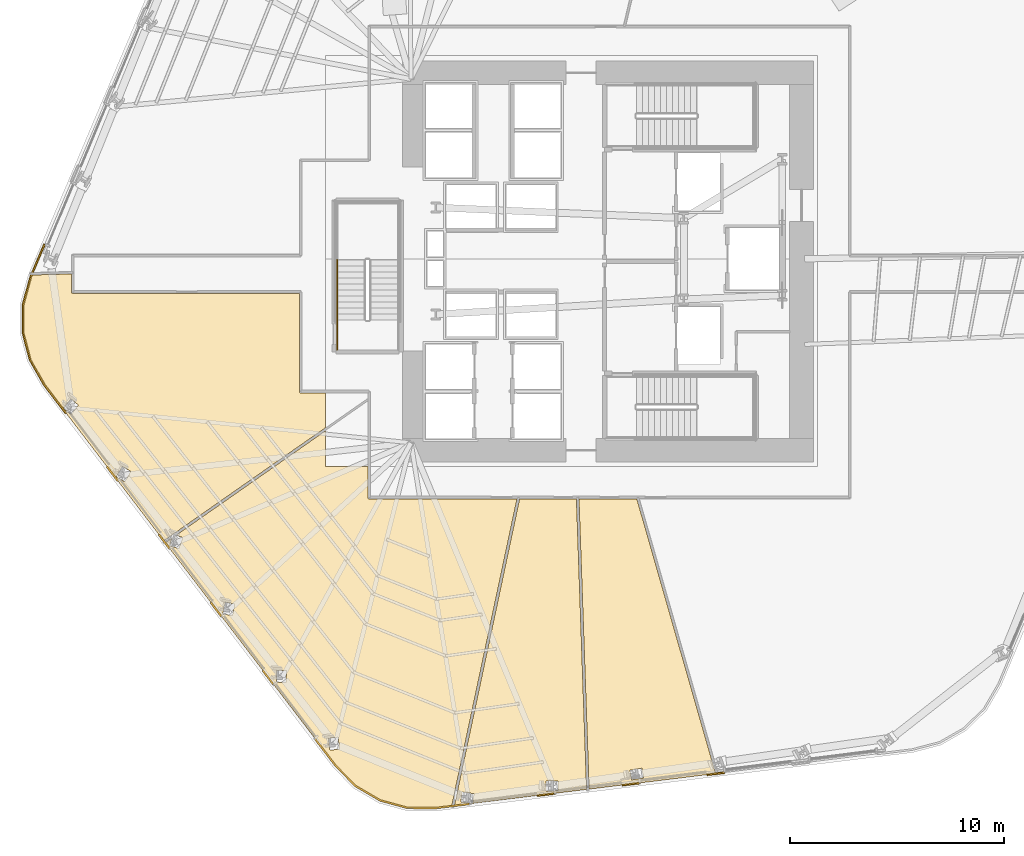
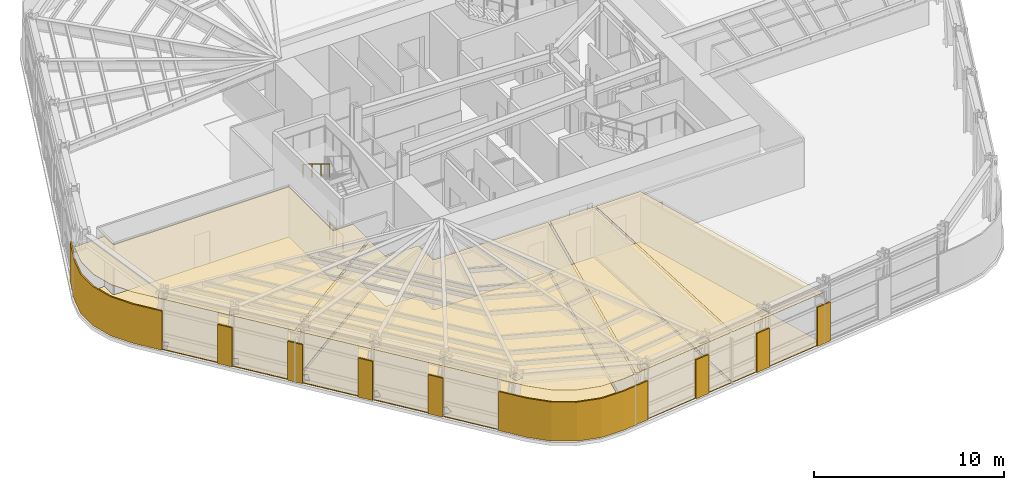
# One storey, part 10 of 16: 17 coverings, 2 railings.
"""IFC4 building model written with IfcOpenShell, lengths in metres."""

import ifcopenshell
import ifcopenshell.guid

model = None  # the IFC model being written
_history = None  # IfcOwnerHistory: only IFC2X3 demands one
_inside = {}  # id of a spatial element -> (the spatial element, [elements in it])
_under = {}  # id of a project, library or spatial element -> (it, [spatial elements below it])
_declared = {}  # id of a project -> (the project, [libraries it declares])
_typed = {}  # id of a type object -> (the type object, [elements of that type])
_made_of = {}  # id of a material, layer set ... -> (it, [elements and type objects made of it])


def new_model(schema):
    """Start an empty IFC model of exactly this schema.

    Asked for "IFC4X3", IfcOpenShell would pick the latest addendum, in which some entities
    have other attributes; the version numbers below select the first issue.
    IFC2X3 requires an IfcOwnerHistory on every rooted entity: one is made here for all.
    """
    global model, _history
    if schema == "IFC4X3":
        model = ifcopenshell.file(schema_version=(4, 3, 0, 0))
    else:
        model = ifcopenshell.file(schema=schema)
    _inside.clear()
    _under.clear()
    _declared.clear()
    _typed.clear()
    _made_of.clear()
    _history = None
    if model.schema == "IFC2X3":
        org = make("IfcOrganization", Name="unknown")
        user = make(
            "IfcPersonAndOrganization",
            ThePerson=make("IfcPerson", FamilyName="unknown"),
            TheOrganization=org,
        )
        app = make(
            "IfcApplication",
            ApplicationDeveloper=org,
            Version="unknown",
            ApplicationFullName="unknown",
            ApplicationIdentifier="unknown",
        )
        _history = make(
            "IfcOwnerHistory",
            OwningUser=user,
            OwningApplication=app,
            ChangeAction="ADDED",
            CreationDate=0,
        )
    return model


def make(cls, **values):
    """One entity of the class cls with the attributes given. An attribute that is None is left unset."""
    return model.create_entity(
        cls, **{name: value for name, value in values.items() if value is not None}
    )


def rooted(cls, **values):
    """An entity with a GlobalId (a new one), such as an element, a storey or a relation."""
    return make(cls, GlobalId=ifcopenshell.guid.new(), OwnerHistory=_history, **values)


def si_unit(unit_type, name, prefix=None):
    """IfcSIUnit, for example si_unit("LENGTHUNIT", "METRE", prefix="MILLI")."""
    return make("IfcSIUnit", UnitType=unit_type, Prefix=prefix, Name=name)


def assignment(units):
    """IfcUnitAssignment: the units of a project."""
    return None if units is None else make("IfcUnitAssignment", Units=units)


def point(xyz):
    """IfcCartesianPoint."""
    return None if xyz is None else make("IfcCartesianPoint", Coordinates=xyz)


def direction(xyz):
    """IfcDirection."""
    return None if xyz is None else make("IfcDirection", DirectionRatios=xyz)


def frame(location, z_axis=None, x_axis=None):
    """IfcAxis2Placement3D, a coordinate frame: its origin and axes. An axis left out is left unset."""
    return make(
        "IfcAxis2Placement3D",
        Location=point(location),
        Axis=direction(z_axis),
        RefDirection=direction(x_axis),
    )


def frame_2d(location, x_axis=None):
    """IfcAxis2Placement2D, a coordinate frame in the plane: its origin and x axis."""
    return make(
        "IfcAxis2Placement2D", Location=point(location), RefDirection=direction(x_axis)
    )


def origin():
    """The frame at (0, 0, 0) with its axes left unset."""
    return frame((0.0, 0.0, 0.0))


def origin_2d():
    """The frame at (0, 0) in the plane with its x axis left unset."""
    return frame_2d((0.0, 0.0))


def place(relative_to, where):
    """IfcLocalPlacement: puts the frame where relative to a parent placement (None: the world)."""
    return make(
        "IfcLocalPlacement", PlacementRelTo=relative_to, RelativePlacement=where
    )


def context(
    kind, dimensions, precision=None, world=None, true_north=None, identifier=None
):
    """IfcGeometricRepresentationContext, for example the 3D "Model" context."""
    return make(
        "IfcGeometricRepresentationContext",
        ContextIdentifier=identifier,
        ContextType=kind,
        CoordinateSpaceDimension=dimensions,
        Precision=precision,
        WorldCoordinateSystem=world,
        TrueNorth=true_north,
    )


def subcontext(parent, identifier, kind, view, scale=None):
    """IfcGeometricRepresentationSubContext, for example "Body" below "Model"."""
    return make(
        "IfcGeometricRepresentationSubContext",
        ContextIdentifier=identifier,
        ContextType=kind,
        ParentContext=parent,
        TargetScale=scale,
        TargetView=view,
    )


def project(units=None, contexts=None):
    """IfcProject with its units and contexts."""
    return rooted(
        "IfcProject",
        Name="project",
        RepresentationContexts=contexts,
        UnitsInContext=assignment(units),
    )


def spatial(cls, under=None, at=None, **own):
    """A site, building, storey or space (cls), placed at a placement, below another one or the project."""
    s = rooted(cls, ObjectPlacement=at, **own)
    if under is not None:
        _under.setdefault(under.id(), (under, []))[1].append(s)
    return s


def polyline(points):
    """IfcPolyline through the points."""
    return make("IfcPolyline", Points=[point(p) for p in points])


def profile(cls, at=None, kind="AREA", **sizes):
    """A parametric profile (cls). Its sizes go by their IFC names, for example OverallWidth=200.0."""
    return make(cls, ProfileType=kind, Position=at, **sizes)


def circle(**sizes):
    """IfcCircleProfileDef."""
    return profile("IfcCircleProfileDef", **sizes)


def outline(outer, holes=None, kind="AREA"):
    """IfcArbitraryClosedProfileDef: a profile drawn as a closed curve; with holes, ...WithVoids."""
    if holes is None:
        return make("IfcArbitraryClosedProfileDef", ProfileType=kind, OuterCurve=outer)
    return make(
        "IfcArbitraryProfileDefWithVoids",
        ProfileType=kind,
        OuterCurve=outer,
        InnerCurves=holes,
    )


def extrude(swept, where, along, depth):
    """IfcExtrudedAreaSolid: the profile swept, set in the frame where, extruded along a direction by depth."""
    return make(
        "IfcExtrudedAreaSolid",
        SweptArea=swept,
        Position=where,
        ExtrudedDirection=direction(along),
        Depth=depth,
    )


def shape(context_of_items, identifier, shape_type, items):
    """IfcShapeRepresentation: the items that make up one representation, for example the "Body"."""
    return make(
        "IfcShapeRepresentation",
        ContextOfItems=context_of_items,
        RepresentationIdentifier=identifier,
        RepresentationType=shape_type,
        Items=items,
    )


def material(Name=None, Category=None):
    """IfcMaterial."""
    return make("IfcMaterial", Name=Name, Category=Category)


def layer(
    of_material, thickness, ventilated=None, Name=None, Category=None, Priority=None
):
    """IfcMaterialLayer: one layer of a wall or slab, of a material (None: an air gap)."""
    return make(
        "IfcMaterialLayer",
        Material=of_material,
        LayerThickness=thickness,
        IsVentilated=ventilated,
        Name=Name,
        Category=Category,
        Priority=Priority,
    )


def layer_set(layers, Name=None):
    """IfcMaterialLayerSet."""
    return make("IfcMaterialLayerSet", MaterialLayers=layers, LayerSetName=Name)


def made_of(thing, what):
    """Note that an element or type object is made of a material, layer set ...; save() writes the relation."""
    if what is not None:
        _made_of.setdefault(what.id(), (what, []))[1].append(thing)
    return thing


def type_object(cls, material=None, **own):
    """A type object (cls), such as IfcWallType, which elements share."""
    return made_of(rooted(cls, **own), material)


def element(
    cls,
    number,
    at=None,
    inside=None,
    cuts=None,
    type_object=None,
    material=None,
    context=None,
    identifier="Body",
    shape_type=None,
    held_by="IfcProductDefinitionShape",
    body=None,
    shapes=None,
    **own,
):
    """One element of the class cls, such as IfcWall. Its Tag is "e" and its number.

    at: its placement. inside: the storey or other place that contains it. cuts: it is an
    opening in that element (IfcRelVoidsElement). A single representation is given by context,
    identifier, shape_type and body (its items); several are given by shapes. held_by: the class
    of the entity that holds the representations. save() writes the other relations.
    """
    e = rooted(cls, Tag="e%d" % number, ObjectPlacement=at, **own)
    if body is not None:
        shapes = [shape(context, identifier, shape_type, body)]
    if shapes is not None:
        e.Representation = make(held_by, Representations=shapes)
    if inside is not None:
        _inside.setdefault(inside.id(), (inside, []))[1].append(e)
    if cuts is not None:
        rooted(
            "IfcRelVoidsElement", RelatingBuildingElement=cuts, RelatedOpeningElement=e
        )
    if type_object is not None:
        _typed.setdefault(type_object.id(), (type_object, []))[1].append(e)
    return made_of(e, material)


def aggregate(whole, parts):
    """IfcRelAggregates: a whole, such as a stair, and the parts it consists of."""
    return rooted("IfcRelAggregates", RelatingObject=whole, RelatedObjects=parts)


def save(model, path):
    """Write the relations noted so far, then the file.

    IfcRelAggregates (storeys below a building ...), IfcRelContainedInSpatialStructure (elements
    in a storey), IfcRelDefinesByType, IfcRelAssociatesMaterial and IfcRelDeclares: one each for
    every whole, place, type object, material and project.
    """
    for whole, parts in _under.values():
        aggregate(whole, parts)
    for where, things in _inside.values():
        rooted(
            "IfcRelContainedInSpatialStructure",
            RelatedElements=things,
            RelatingStructure=where,
        )
    for kind, things in _typed.values():
        rooted("IfcRelDefinesByType", RelatedObjects=things, RelatingType=kind)
    for what, things in _made_of.values():
        rooted("IfcRelAssociatesMaterial", RelatedObjects=things, RelatingMaterial=what)
    for by, libraries in _declared.values():
        rooted("IfcRelDeclares", RelatingContext=by, RelatedDefinitions=libraries)
    model.write(path)


model = new_model("IFC4")

# Units and contexts
model_context = context("Model", 3, precision=1e-05, world=origin(), true_north=direction((0.0, 1.0)))
body_context = subcontext(model_context, "Body", "Model", "MODEL_VIEW")
ifc_project = project(units=[si_unit("LENGTHUNIT", "METRE"), si_unit("AREAUNIT", "SQUARE_METRE"), si_unit("VOLUMEUNIT", "CUBIC_METRE"), si_unit("PLANEANGLEUNIT", "RADIAN"), si_unit("MASSUNIT", "GRAM", prefix="KILO")], contexts=[model_context])

# Site, building, storey
site_placement = place(None, origin())
site = spatial("IfcSite", under=ifc_project, at=site_placement, CompositionType="ELEMENT")
building_placement = place(site_placement, origin())
building = spatial("IfcBuilding", under=site, at=building_placement, Name="Valkerne Bourse Tower", CompositionType="ELEMENT")
storey_placement = place(building_placement, frame((0.0, 0.0, 54.39990234375)))
storey = spatial("IfcBuildingStorey", under=building, at=storey_placement, Name="L13", CompositionType="ELEMENT", Elevation=54.39990234375)

# Coverings
ifc_material_1 = material(Name="Mineral Fiber Acoustic Ceiling Tile", Category="acoustic")
ifc_layer_1 = layer(ifc_material_1, 0.02490234375)
ifc_layer_set_1 = layer_set([ifc_layer_1], Name="Mineral Fiber Acoustic Ceiling Tile")
covering_type_1 = type_object("IfcCoveringType", Name="COV-CEIL-ACT", PredefinedType="CEILING", material=ifc_layer_set_1)
covering_1_placement = place(storey_placement, frame((0.0, 0.0, 3.22998046875)))
element("IfcCovering", 1, at=covering_1_placement, inside=storey, type_object=covering_type_1, Name="L13 Suspended Ceiling 03", PredefinedType="CEILING", context=body_context, shape_type="SweptSolid", body=[
    extrude(outline(polyline([(48.155517578125, 15.781005859375), (51.8369140625, 2.943115234375), (45.924560546875, 2.2177734375), (45.45068359375, 15.781005859375), (48.155517578125, 15.781005859375)]), holes=[polyline([(47.92236328125, 2.6494140625), (48.467529296875, 2.74658203125), (48.3876953125, 3.197265625), (48.384033203125, 3.197021484375), (47.8388671875, 3.099609375), (47.918701171875, 2.649169921875), (47.92236328125, 2.6494140625)])]), origin(), (0.0, 0.0, 1.0), 0.025146484375),
])
covering_2_placement = place(storey_placement, frame((0.0, 0.0, 3.22998046875)))
element("IfcCovering", 2, at=covering_2_placement, inside=storey, type_object=covering_type_1, Name="L13 Suspended Ceiling 04", PredefinedType="CEILING", context=body_context, shape_type="SweptSolid", body=[
    extrude(outline(polyline([(45.332763671875, 15.781005859375), (45.806884765625, 2.203369140625), (39.62841796875, 1.4453125), (42.675537109375, 15.781005859375), (45.332763671875, 15.781005859375)]), holes=[polyline([(40.54541015625, 2.00439453125), (40.541748046875, 2.00537109375), (39.993408203125, 2.079345703125), (39.931396484375, 1.6259765625), (39.935302734375, 1.625), (40.483642578125, 1.551025390625), (40.54541015625, 2.00439453125)]), polyline([(44.47119140625, 2.60205078125), (44.4677734375, 2.6025390625), (43.9140625, 2.593994140625), (43.92041015625, 2.136474609375), (43.924072265625, 2.135986328125), (44.477783203125, 2.14453125), (44.47119140625, 2.60205078125)])]), origin(), (0.0, 0.0, 1.0), 0.025146484375),
])
covering_3_placement = place(storey_placement, frame((0.0, 0.0, 3.22998046875)))
element("IfcCovering", 3, at=covering_3_placement, inside=storey, type_object=covering_type_1, Name="L13 Suspended Ceiling 05", PredefinedType="CEILING", context=body_context, shape_type="SweptSolid", body=[
    extrude(outline(polyline([(19.4736328125, 23.5478515625), (19.48046875, 24.867431640625), (19.8310546875, 26.149169921875), (19.870849609375, 26.242919921875), (21.73095703125, 26.29443359375), (21.731201171875, 25.445556640625), (21.7490234375, 25.403076171875), (21.79541015625, 25.381103515625), (32.381103515625, 25.381103515625), (32.381103515625, 20.79931640625), (32.390869140625, 20.76416015625), (32.414794921875, 20.740478515625), (32.449462890625, 20.73095703125), (33.60009765625, 20.73095703125), (33.60009765625, 19.103515625), (26.045166015625, 13.82275390625), (20.466796875, 21.1171875), (19.808349609375, 22.271484375), (19.4736328125, 23.5478515625)]), holes=[polyline([(24.501708984375, 17.0732421875), (24.102783203125, 17.29443359375), (23.8310546875, 16.809814453125), (23.83251953125, 16.806640625), (24.231201171875, 16.58544921875), (24.503173828125, 17.06982421875), (24.501708984375, 17.0732421875)]), polyline([(22.060302734375, 20.168212890625), (22.059326171875, 20.172119140625), (21.697998046875, 20.449951171875), (21.356689453125, 20.01171875), (21.35791015625, 20.008056640625), (21.71923828125, 19.72998046875), (22.060302734375, 20.168212890625)])]), origin(), (0.0, 0.0, 1.0), 0.025146484375),
])
covering_4_placement = place(storey_placement, frame((0.0, 0.0, 3.22998046875)))
element("IfcCovering", 4, at=covering_4_placement, inside=storey, type_object=covering_type_1, Name="L13 Suspended Ceiling 06", PredefinedType="CEILING", context=body_context, shape_type="SweptSolid", body=[
    extrude(outline(polyline([(36.16259765625, 1.694580078125), (35.023193359375, 2.3603515625), (34.088134765625, 3.30517578125), (26.11669921875, 13.72900390625), (26.44189453125, 13.956298828125), (26.314697265625, 13.607421875), (26.316650390625, 13.604248046875), (26.74609375, 13.4501953125), (26.936279296875, 13.97216796875), (26.934326171875, 13.97509765625), (26.626953125, 14.08544921875), (33.60009765625, 18.959716796875), (33.60009765625, 17.300048828125), (35.5810546875, 17.300048828125), (35.5810546875, 15.849609375), (35.59033203125, 15.81494140625), (35.614013671875, 15.791015625), (35.6494140625, 15.781005859375), (42.554931640625, 15.781005859375), (39.504638671875, 1.43017578125), (38.7646484375, 1.33935546875), (37.435302734375, 1.346435546875), (36.16259765625, 1.694580078125)]), holes=[polyline([(34.193359375, 4.643798828125), (34.190185546875, 4.645751953125), (33.73828125, 4.585693359375), (33.808349609375, 4.03466796875), (33.811767578125, 4.03271484375), (34.263671875, 4.093017578125), (34.193359375, 4.643798828125)]), polyline([(31.775390625, 7.764404296875), (31.3193359375, 7.772216796875), (31.306884765625, 7.216796875), (31.3095703125, 7.214599609375), (31.765625, 7.20654296875), (31.778076171875, 7.761962890625), (31.775390625, 7.764404296875)]), polyline([(29.3603515625, 10.870849609375), (29.35791015625, 10.873291015625), (28.9091796875, 10.95458984375), (28.8076171875, 10.408203125), (28.81005859375, 10.40576171875), (29.2587890625, 10.32470703125), (29.3603515625, 10.870849609375)])]), origin(), (0.0, 0.0, 1.0), 0.025146484375),
])
ifc_material_2 = material(Name="Bronze Anodised Aluminium AA 6063-T6", Category="aluminium")
ifc_layer_2 = layer(ifc_material_2, 0.06005859375)
ifc_layer_set_2 = layer_set([ifc_layer_2], Name="Bronze Anodised Aluminium AA 6063-T6")
covering_type_2 = type_object("IfcCoveringType", Name="COV-CRN-ALUM", PredefinedType="CLADDING", material=ifc_layer_set_2)
covering_5_placement = place(storey_placement, origin())
element("IfcCovering", 5, at=covering_5_placement, inside=storey, type_object=covering_type_2, Name="L13 Wind-Shaped Corner Aluminium Cladding 03", PredefinedType="CLADDING", context=body_context, shape_type="SweptSolid", body=[
    extrude(outline(polyline([(51.44140625, 2.85009765625), (51.431396484375, 2.9296875), (52.26513671875, 3.031982421875), (52.275146484375, 2.952392578125), (51.44140625, 2.85009765625)])), origin(), (0.0, 0.0, 1.0), 2.5),
])
covering_6_placement = place(storey_placement, origin())
element("IfcCovering", 6, at=covering_6_placement, inside=storey, type_object=covering_type_2, Name="L13 Wind-Shaped Corner Aluminium Cladding 04", PredefinedType="CLADDING", context=body_context, shape_type="SweptSolid", body=[
    extrude(outline(polyline([(47.47509765625, 2.363525390625), (47.465087890625, 2.443115234375), (48.298828125, 2.54541015625), (48.308837890625, 2.4658203125), (47.47509765625, 2.363525390625)])), origin(), (0.0, 0.0, 1.0), 2.5),
])
covering_7_placement = place(storey_placement, origin())
element("IfcCovering", 7, at=covering_7_placement, inside=storey, type_object=covering_type_2, Name="L13 Wind-Shaped Corner Aluminium Cladding 05", PredefinedType="CLADDING", context=body_context, shape_type="SweptSolid", body=[
    extrude(outline(polyline([(43.5087890625, 1.877197265625), (43.498779296875, 1.95654296875), (44.33251953125, 2.05859375), (44.342529296875, 1.9794921875), (43.5087890625, 1.877197265625)])), origin(), (0.0, 0.0, 1.0), 2.5),
])
covering_8_placement = place(storey_placement, origin())
element("IfcCovering", 8, at=covering_8_placement, inside=storey, type_object=covering_type_2, Name="L13 Wind-Shaped Corner Aluminium Cladding 06", PredefinedType="CLADDING", context=body_context, shape_type="SweptSolid", body=[
    extrude(outline(polyline([(38.76708984375, 1.29541015625), (37.429443359375, 1.302490234375), (36.1455078125, 1.65380859375), (34.99609375, 2.3251953125), (34.054931640625, 3.276123046875), (33.0703125, 4.56396484375), (33.1337890625, 4.6123046875), (34.115478515625, 3.328857421875), (35.045654296875, 2.38916015625), (36.1767578125, 1.72802734375), (37.440185546875, 1.38232421875), (38.7626953125, 1.37548828125), (40.3662109375, 1.572265625), (40.376220703125, 1.492919921875), (38.76708984375, 1.29541015625)])), origin(), (0.0, 0.0, 1.0), 2.5),
])
covering_9_placement = place(storey_placement, origin())
element("IfcCovering", 9, at=covering_9_placement, inside=storey, type_object=covering_type_2, Name="L13 Wind-Shaped Corner Aluminium Cladding 07", PredefinedType="CLADDING", context=body_context, shape_type="SweptSolid", body=[
    extrude(outline(polyline([(30.642822265625, 7.73828125), (30.70654296875, 7.78662109375), (31.216796875, 7.119140625), (31.153076171875, 7.07080078125), (30.642822265625, 7.73828125)])), origin(), (0.0, 0.0, 1.0), 2.5),
])
covering_10_placement = place(storey_placement, origin())
element("IfcCovering", 10, at=covering_10_placement, inside=storey, type_object=covering_type_2, Name="L13 Wind-Shaped Corner Aluminium Cladding 08", PredefinedType="CLADDING", context=body_context, shape_type="SweptSolid", body=[
    extrude(outline(polyline([(28.21533203125, 10.912353515625), (28.279052734375, 10.960693359375), (28.789306640625, 10.29345703125), (28.7255859375, 10.2451171875), (28.21533203125, 10.912353515625)])), origin(), (0.0, 0.0, 1.0), 2.5),
])
covering_11_placement = place(storey_placement, origin())
element("IfcCovering", 11, at=covering_11_placement, inside=storey, type_object=covering_type_2, Name="L13 Wind-Shaped Corner Aluminium Cladding 09", PredefinedType="CLADDING", context=body_context, shape_type="SweptSolid", body=[
    extrude(outline(polyline([(25.787841796875, 14.086669921875), (25.8515625, 14.135009765625), (26.36181640625, 13.4677734375), (26.298095703125, 13.41943359375), (25.787841796875, 14.086669921875)])), origin(), (0.0, 0.0, 1.0), 2.5),
])
covering_12_placement = place(storey_placement, origin())
element("IfcCovering", 12, at=covering_12_placement, inside=storey, type_object=covering_type_2, Name="L13 Wind-Shaped Corner Aluminium Cladding 10", PredefinedType="CLADDING", context=body_context, shape_type="SweptSolid", body=[
    extrude(outline(polyline([(23.360595703125, 17.260986328125), (23.42431640625, 17.309326171875), (23.9345703125, 16.64208984375), (23.87060546875, 16.593505859375), (23.360595703125, 17.260986328125)])), origin(), (0.0, 0.0, 1.0), 2.5),
])
covering_13_placement = place(storey_placement, origin())
element("IfcCovering", 13, at=covering_13_placement, inside=storey, type_object=covering_type_2, Name="L13 Wind-Shaped Corner Aluminium Cladding 11", PredefinedType="CLADDING", context=body_context, shape_type="SweptSolid", body=[
    extrude(outline(polyline([(20.429931640625, 21.093017578125), (19.767333984375, 22.254638671875), (19.4296875, 23.542236328125), (19.4365234375, 24.873291015625), (19.78955078125, 26.16357421875), (20.44140625, 27.698974609375), (20.51513671875, 27.66796875), (19.865234375, 26.13720703125), (19.5166015625, 24.862548828125), (19.509521484375, 23.552490234375), (19.842041015625, 22.28515625), (20.496826171875, 21.13720703125), (21.507080078125, 19.816162109375), (21.443359375, 19.767822265625), (20.429931640625, 21.093017578125)])), origin(), (0.0, 0.0, 1.0), 2.5),
])
ifc_material_3 = material(Name="Galvanised Painted Steel", Category="steel")
ifc_layer_3 = layer(ifc_material_3, 0.044921875)
ifc_layer_set_3 = layer_set([ifc_layer_3], Name="Galvanised Painted Steel")
covering_type_3 = type_object("IfcCoveringType", Name="COV-FLR-RAF", PredefinedType="FLOORING", material=ifc_layer_set_3)
covering_14_placement = place(storey_placement, origin())
element("IfcCovering", 14, at=covering_14_placement, inside=storey, type_object=covering_type_3, Name="L13 Floor Finish 05", PredefinedType="FLOORING", context=body_context, shape_type="SweptSolid", body=[
    extrude(outline(polyline([(19.4736328125, 23.5478515625), (19.48046875, 24.867431640625), (19.8310546875, 26.149169921875), (19.870849609375, 26.242919921875), (21.73095703125, 26.29443359375), (21.731201171875, 25.445556640625), (21.7490234375, 25.403076171875), (21.79541015625, 25.381103515625), (32.381103515625, 25.381103515625), (32.381103515625, 20.79931640625), (32.390869140625, 20.76416015625), (32.414794921875, 20.740478515625), (32.449462890625, 20.73095703125), (33.60009765625, 20.73095703125), (33.60009765625, 19.103515625), (26.045166015625, 13.82275390625), (20.466796875, 21.1171875), (19.808349609375, 22.271484375), (19.4736328125, 23.5478515625)]), holes=[polyline([(24.501708984375, 17.0732421875), (24.102783203125, 17.29443359375), (23.8310546875, 16.809814453125), (23.83251953125, 16.806640625), (24.231201171875, 16.58544921875), (24.503173828125, 17.06982421875), (24.501708984375, 17.0732421875)]), polyline([(22.060302734375, 20.168212890625), (22.059326171875, 20.172119140625), (21.697998046875, 20.449951171875), (21.356689453125, 20.01171875), (21.35791015625, 20.008056640625), (21.71923828125, 19.72998046875), (22.060302734375, 20.168212890625)])]), origin(), (0.0, 0.0, 1.0), 0.045166015625),
])
covering_15_placement = place(storey_placement, origin())
element("IfcCovering", 15, at=covering_15_placement, inside=storey, type_object=covering_type_3, Name="L13 Floor Finish 06", PredefinedType="FLOORING", context=body_context, shape_type="SweptSolid", body=[
    extrude(outline(polyline([(36.16259765625, 1.694580078125), (35.023193359375, 2.3603515625), (34.088134765625, 3.30517578125), (26.11669921875, 13.72900390625), (26.44189453125, 13.956298828125), (26.314697265625, 13.607421875), (26.316650390625, 13.604248046875), (26.74609375, 13.4501953125), (26.936279296875, 13.97216796875), (26.934326171875, 13.97509765625), (26.626953125, 14.08544921875), (33.60009765625, 18.959716796875), (33.60009765625, 17.300048828125), (35.5810546875, 17.300048828125), (35.5810546875, 15.849609375), (35.59033203125, 15.81494140625), (35.614013671875, 15.791015625), (35.6494140625, 15.781005859375), (42.554931640625, 15.781005859375), (39.504638671875, 1.43017578125), (38.7646484375, 1.33935546875), (37.435302734375, 1.346435546875), (36.16259765625, 1.694580078125)]), holes=[polyline([(34.193359375, 4.643798828125), (34.190185546875, 4.645751953125), (33.73828125, 4.585693359375), (33.808349609375, 4.03466796875), (33.811767578125, 4.03271484375), (34.263671875, 4.093017578125), (34.193359375, 4.643798828125)]), polyline([(31.775390625, 7.764404296875), (31.3193359375, 7.772216796875), (31.306884765625, 7.216796875), (31.3095703125, 7.214599609375), (31.765625, 7.20654296875), (31.778076171875, 7.761962890625), (31.775390625, 7.764404296875)]), polyline([(29.3603515625, 10.870849609375), (29.35791015625, 10.873291015625), (28.9091796875, 10.95458984375), (28.8076171875, 10.408203125), (28.81005859375, 10.40576171875), (29.2587890625, 10.32470703125), (29.3603515625, 10.870849609375)])]), origin(), (0.0, 0.0, 1.0), 0.045166015625),
])
ifc_material_4 = material(Name="Polished Granite Stone", Category="masonry")
ifc_layer_4 = layer(ifc_material_4, 0.030029296875)
ifc_layer_set_4 = layer_set([ifc_layer_4], Name="Polished Granite Stone")
covering_type_4 = type_object("IfcCoveringType", Name="COV-FLR-TERRAZZO", PredefinedType="FLOORING", material=ifc_layer_set_4)
covering_16_placement = place(storey_placement, origin())
element("IfcCovering", 16, at=covering_16_placement, inside=storey, type_object=covering_type_4, Name="L13 Floor Finish 03", PredefinedType="FLOORING", context=body_context, shape_type="SweptSolid", body=[
    extrude(outline(polyline([(48.155517578125, 15.781005859375), (51.8369140625, 2.943115234375), (45.924560546875, 2.2177734375), (45.45068359375, 15.781005859375), (48.155517578125, 15.781005859375)]), holes=[polyline([(47.92236328125, 2.6494140625), (48.467529296875, 2.74658203125), (48.3876953125, 3.197265625), (48.384033203125, 3.197021484375), (47.8388671875, 3.099609375), (47.918701171875, 2.649169921875), (47.92236328125, 2.6494140625)])]), origin(), (0.0, 0.0, 1.0), 0.030029296875),
])
covering_17_placement = place(storey_placement, origin())
element("IfcCovering", 17, at=covering_17_placement, inside=storey, type_object=covering_type_4, Name="L13 Floor Finish 04", PredefinedType="FLOORING", context=body_context, shape_type="SweptSolid", body=[
    extrude(outline(polyline([(45.332763671875, 15.781005859375), (45.806884765625, 2.203369140625), (39.62841796875, 1.4453125), (42.675537109375, 15.781005859375), (45.332763671875, 15.781005859375)]), holes=[polyline([(40.54541015625, 2.00439453125), (40.541748046875, 2.00537109375), (39.993408203125, 2.079345703125), (39.931396484375, 1.6259765625), (39.935302734375, 1.625), (40.483642578125, 1.551025390625), (40.54541015625, 2.00439453125)]), polyline([(44.47119140625, 2.60205078125), (44.4677734375, 2.6025390625), (43.9140625, 2.593994140625), (43.92041015625, 2.136474609375), (43.924072265625, 2.135986328125), (44.477783203125, 2.14453125), (44.47119140625, 2.60205078125)])]), origin(), (0.0, 0.0, 1.0), 0.030029296875),
])

# Railings
railing_type_1 = type_object("IfcRailingType", Name="RLG-ST-GUARD-1120", PredefinedType="GUARDRAIL", material=ifc_material_3)
railing_1_placement = place(storey_placement, frame((34.14990234375, 22.75, 0.0)))
element("IfcRailing", 18, at=railing_1_placement, inside=storey, type_object=railing_type_1, Name="L13 ST-3 stair guard 9", PredefinedType="GUARDRAIL", context=body_context, shape_type="SweptSolid", body=[
    extrude(circle(Radius=0.02392578125, at=origin_2d()), frame((0.0, 0.0, 1.09619140625), z_axis=(0.0, 1.0, 0.0), x_axis=(-1.0, 0.0, 0.0)), (0.0, 0.0, 1.0), 1.39990234375),
    extrude(circle(Radius=0.02099609375, at=origin_2d()), origin(), (0.0, 0.0, 1.0), 1.072021484375),
    extrude(circle(Radius=0.02099609375, at=origin_2d()), frame((0.0, 0.699951171875, 0.0)), (0.0, 0.0, 1.0), 1.072021484375),
    extrude(circle(Radius=0.02099609375, at=origin_2d()), frame((0.0, 1.39990234375, 0.0)), (0.0, 0.0, 1.0), 1.072021484375),
])
ifc_material_5 = material(Name="Stainless Steel AISI 316", Category="steel")
railing_type_2 = type_object("IfcRailingType", Name="RLG-ST-HANDRAIL-900", PredefinedType="HANDRAIL", material=ifc_material_5)
railing_2_placement = place(storey_placement, frame((34.14990234375, 26.949951171875, 2.24560546875)))
element("IfcRailing", 19, at=railing_2_placement, inside=storey, type_object=railing_type_2, Name="L13 ST-3 stair handrail 2", PredefinedType="HANDRAIL", context=body_context, shape_type="SweptSolid", body=[
    extrude(circle(Radius=0.02392578125, at=origin_2d()), frame((0.0, 0.0, 0.8759765625), z_axis=(0.0, -0.851089632645, 0.525020415988), x_axis=(1.0, 0.0, 0.0)), (0.0, 0.0, 1.0), 3.2900390625),
    extrude(circle(Radius=0.02099609375, at=origin_2d()), origin(), (0.0, 0.0, 1.0), 0.851806640625),
    extrude(circle(Radius=0.02099609375, at=origin_2d()), frame((0.0, -0.933349609375, 0.57568359375)), (0.0, 0.0, 1.0), 0.851806640625),
    extrude(circle(Radius=0.02099609375, at=origin_2d()), frame((0.0, -1.86669921875, 1.151611328125)), (0.0, 0.0, 1.0), 0.851806640625),
    extrude(circle(Radius=0.02099609375, at=origin_2d()), frame((0.0, -2.800048828125, 1.727294921875)), (0.0, 0.0, 1.0), 0.851806640625),
])

save(model, "model.ifc")
